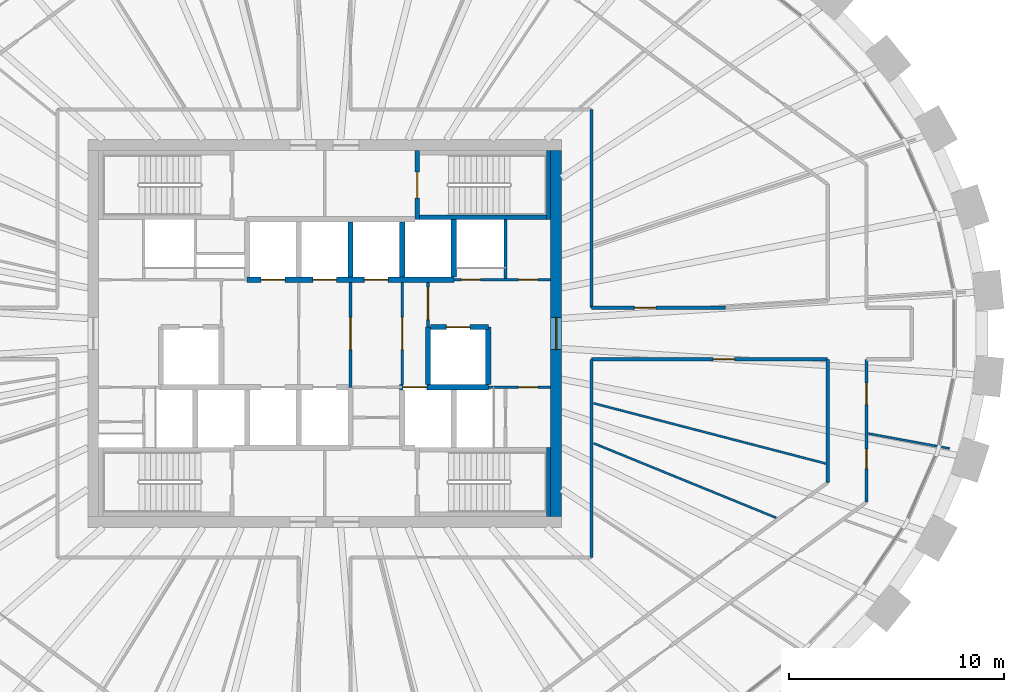
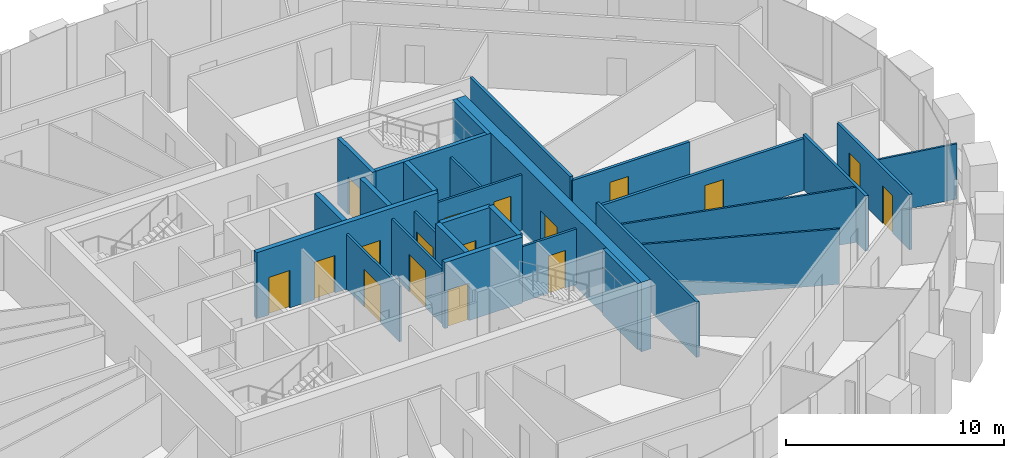
# One storey, part 9 of 12: 28 walls, 17 doors, 17 openings.
"""IFC4 building model written with IfcOpenShell, lengths in metres."""

from ifc_helpers import new_model, si_unit, direction, frame, frame_2d, origin, place, context, subcontext, project, spatial, rectangle, extrude, source, transform, mapped, material, layer, layer_set, type_object, element, fill, save


model = new_model("IFC4")

# Units and contexts
model_context = context("Model", 3, precision=1e-05, world=origin(), true_north=direction((0.0, 1.0)))
body_context = subcontext(model_context, "Body", "Model", "MODEL_VIEW")
ifc_project = project(units=[si_unit("LENGTHUNIT", "METRE"), si_unit("AREAUNIT", "SQUARE_METRE"), si_unit("VOLUMEUNIT", "CUBIC_METRE"), si_unit("PLANEANGLEUNIT", "RADIAN"), si_unit("MASSUNIT", "GRAM", prefix="KILO")], contexts=[model_context])

# Site, building, storey
site_placement = place(None, origin())
site = spatial("IfcSite", under=ifc_project, at=site_placement, CompositionType="ELEMENT")
building_placement = place(site_placement, origin())
building = spatial("IfcBuilding", under=site, at=building_placement, Name="Embergate Tower", CompositionType="ELEMENT")
storey_placement = place(building_placement, frame((0.0, 0.0, 301.300048828125)))
storey = spatial("IfcBuildingStorey", under=building, at=storey_placement, Name="L70", CompositionType="ELEMENT", Elevation=301.300048828125)

# Wall, opening, door
ifc_material_1 = material(Name="Concrete C50", Category="concrete")
ifc_layer_1 = layer(ifc_material_1, 0.5)
ifc_layer_set_1 = layer_set([ifc_layer_1], Name="Concrete C50")
wall_type_1 = type_object("IfcWallType", Name="Core outer wall C50 500", PredefinedType="SHEAR", material=ifc_layer_set_1)
shared_shape_1 = source(origin(), body_context, "Body", "SweptSolid", [
    extrude(rectangle(XDim=17.0, YDim=0.5, at=frame_2d((8.5, 0.0))), origin(), (0.0, 0.0, 1.0), 3.89990234375),
])
wall_1_placement = place(storey_placement, frame((10.75, -8.5, -0.199951171875), z_axis=(0.0, 0.0, 1.0), x_axis=(0.0, 1.0, 0.0)))
wall_1 = element("IfcWall", 1, at=wall_1_placement, inside=storey, type_object=wall_type_1, Name="CW-L70-E", PredefinedType="SHEAR", context=body_context, shape_type="MappedRepresentation", body=[
    mapped(shared_shape_1, transform((0.0, 0.0, 0.0))),
])
shared_shape_2 = source(origin(), body_context, "Body", "SweptSolid", [
    extrude(rectangle(XDim=1.5, YDim=2.10009765625, at=frame_2d((0.75, 1.050048828125))), frame((0.0, 0.260009765625, 0.0), z_axis=(0.0, -1.0, 0.0), x_axis=(1.0, 0.0, 0.0)), (0.0, 0.0, 1.0), 0.52001953125),
])
opening_1_placement = place(wall_1_placement, frame((7.75, 0.0, 0.199951171875)))
opening_1 = element("IfcOpeningElement", 2, at=opening_1_placement, cuts=wall_1, Name="Opening IF-3", PredefinedType="OPENING", context=body_context, shape_type="MappedRepresentation", body=[
    mapped(shared_shape_2, transform((0.0, 0.0, 0.0))),
])
ifc_material_2 = material(Name="Lobby fire door pair 1500")
door_type_1 = type_object("IfcDoorType", Name="Lobby fire door pair 1500", OperationType="DOUBLE_DOOR_SINGLE_SWING", PredefinedType="DOOR", material=ifc_material_2)
shared_shape_3 = source(origin(), body_context, "Body", "SweptSolid", [
    extrude(rectangle(XDim=1.5, YDim=2.10009765625, at=frame_2d((0.75, 1.050048828125))), frame((0.0, 0.02490234375, 0.0), z_axis=(0.0, -1.0, 0.0), x_axis=(1.0, 0.0, 0.0)), (0.0, 0.0, 1.0), 0.050048828125),
])
door_1_placement = place(opening_1_placement, origin())
door_1 = element("IfcDoor", 3, at=door_1_placement, inside=storey, type_object=door_type_1, Name="IF-3 door", OperationType="DOUBLE_DOOR_SINGLE_SWING", OverallHeight=2.10009765625, OverallWidth=1.5, PredefinedType="DOOR", context=body_context, shape_type="MappedRepresentation", body=[
    mapped(shared_shape_3, transform((0.0, 0.0, 0.0))),
])
fill(opening_1, door_1)

# Walls
ifc_layer_2 = layer(ifc_material_1, 0.25)
ifc_layer_set_2 = layer_set([ifc_layer_2], Name="Concrete C50")
wall_type_2 = type_object("IfcWallType", Name="Hoistway wall reinforced concrete 250", PredefinedType="SHEAR", material=ifc_layer_set_2)
shared_shape_4 = source(origin(), body_context, "Body", "SweptSolid", [
    extrude(rectangle(XDim=2.675048828125, YDim=0.25, at=frame_2d((1.33740234375, 0.0))), origin(), (0.0, 0.0, 1.0), 3.699951171875),
])
for number, where, z_axis, x_axis, name in (
    (4, (6.0, 2.625, 0.0), (0.0, 0.0, 1.0), (0.0, 1.0, 0.0), "HW-1 wall"),
    (5, (4.800048828125, -2.375, 0.0), (0.0, 0.0, 1.0), (0.0, 1.0, 0.0), "HW-1 wall"),
):
    element("IfcWall", number, at=place(storey_placement, frame(where, z_axis=z_axis, x_axis=x_axis)), inside=storey, type_object=wall_type_2, Name=name, PredefinedType="SHEAR", context=body_context, shape_type="MappedRepresentation", body=[
        mapped(shared_shape_4, transform((0.0, 0.0, 0.0))),
    ])

# Wall, opening, door
wall_2_placement = place(storey_placement, frame((7.60009765625, 0.300048828125, 0.0), z_axis=(0.0, 0.0, 1.0), x_axis=(-1.0, 0.0, 0.0)))
wall_2 = element("IfcWall", 6, at=wall_2_placement, inside=storey, type_object=wall_type_2, Name="HW-1 wall", PredefinedType="SHEAR", context=body_context, shape_type="MappedRepresentation", body=[
    mapped(shared_shape_4, transform((0.0, 0.0, 0.0))),
])
shared_shape_5 = source(origin(), body_context, "Body", "SweptSolid", [
    extrude(rectangle(XDim=1.10009765625, YDim=2.10009765625, at=frame_2d((0.550048828125, 1.050048828125))), frame((0.0, 0.135009765625, 0.0), z_axis=(0.0, -1.0, 0.0), x_axis=(1.0, 0.0, 0.0)), (0.0, 0.0, 1.0), 0.27001953125),
])
opening_2_placement = place(wall_2_placement, frame((0.85009765625, 0.0, 0.0)))
opening_2 = element("IfcOpeningElement", 7, at=opening_2_placement, cuts=wall_2, Name="Opening LD", PredefinedType="OPENING", context=body_context, shape_type="MappedRepresentation", body=[
    mapped(shared_shape_5, transform((0.0, 0.0, 0.0))),
])
ifc_material_3 = material(Name="Landing door sliding 1100")
door_type_2 = type_object("IfcDoorType", Name="Landing door sliding 1100", OperationType="SLIDING_TO_LEFT", PredefinedType="DOOR", material=ifc_material_3)
shared_shape_6 = source(origin(), body_context, "Body", "SweptSolid", [
    extrude(rectangle(XDim=1.10009765625, YDim=2.10009765625, at=frame_2d((0.550048828125, 1.050048828125))), frame((0.0, 0.02490234375, 0.0), z_axis=(0.0, -1.0, 0.0), x_axis=(1.0, 0.0, 0.0)), (0.0, 0.0, 1.0), 0.050048828125),
])
door_2_placement = place(opening_2_placement, origin())
door_2 = element("IfcDoor", 8, at=door_2_placement, inside=storey, type_object=door_type_2, Name="LD door", OperationType="SLIDING_TO_LEFT", OverallHeight=2.10009765625, OverallWidth=1.10009765625, PredefinedType="DOOR", context=body_context, shape_type="MappedRepresentation", body=[
    mapped(shared_shape_6, transform((0.0, 0.0, 0.0))),
])
fill(opening_2, door_2)

# Walls
wall_3_placement = place(storey_placement, frame((7.60009765625, -2.375, 0.0), z_axis=(0.0, 0.0, 1.0), x_axis=(0.0, 1.0, 0.0)))
element("IfcWall", 9, at=wall_3_placement, inside=storey, type_object=wall_type_2, Name="HW-1 wall", PredefinedType="SHEAR", context=body_context, shape_type="MappedRepresentation", body=[
    mapped(shared_shape_4, transform((0.0, 0.0, 0.0))),
])
ifc_layer_3 = layer(ifc_material_1, 0.199951171875)
ifc_layer_set_3 = layer_set([ifc_layer_3], Name="Concrete C50")
wall_type_3 = type_object("IfcWallType", Name="Stair enclosure wall reinforced concrete 250", PredefinedType="SHEAR", material=ifc_layer_set_3)
shared_shape_7 = source(origin(), body_context, "Body", "SweptSolid", [
    extrude(rectangle(XDim=6.300048828125, YDim=0.199951171875, at=frame_2d((3.14990234375, 0.0))), origin(), (0.0, 0.0, 1.0), 3.699951171875),
])
wall_4_placement = place(storey_placement, frame((10.5, 5.39990234375, 0.0), z_axis=(0.0, 0.0, 1.0), x_axis=(-1.0, 0.0, 0.0)))
element("IfcWall", 10, at=wall_4_placement, inside=storey, type_object=wall_type_3, Name="SE-1 wall", PredefinedType="SHEAR", context=body_context, shape_type="MappedRepresentation", body=[
    mapped(shared_shape_7, transform((0.0, 0.0, 0.0))),
])
shared_shape_8 = source(origin(), body_context, "Body", "SweptSolid", [
    extrude(rectangle(XDim=2.550048828125, YDim=0.25, at=frame_2d((1.27490234375, 0.0))), origin(), (0.0, 0.0, 1.0), 3.699951171875),
])
for number, where, z_axis, x_axis, name in (
    (11, (1.199951171875, 2.625, 0.0), (0.0, 0.0, 1.0), (0.0, 1.0, 0.0), "HW-1 wall"),
    (12, (3.60009765625, 2.625, 0.0), (0.0, 0.0, 1.0), (0.0, 1.0, 0.0), "HW-1 wall"),
):
    element("IfcWall", number, at=place(storey_placement, frame(where, z_axis=z_axis, x_axis=x_axis)), inside=storey, type_object=wall_type_2, Name=name, PredefinedType="SHEAR", context=body_context, shape_type="MappedRepresentation", body=[
        mapped(shared_shape_8, transform((0.0, 0.0, 0.0))),
    ])

# Wall, opening, door
shared_shape_9 = source(origin(), body_context, "Body", "SweptSolid", [
    extrude(rectangle(XDim=3.199951171875, YDim=0.199951171875, at=frame_2d((1.60009765625, 0.0))), origin(), (0.0, 0.0, 1.0), 3.699951171875),
])
wall_5_placement = place(storey_placement, frame((4.300048828125, 8.5, 0.0), z_axis=(0.0, 0.0, 1.0), x_axis=(0.0, -1.0, 0.0)))
wall_5 = element("IfcWall", 13, at=wall_5_placement, inside=storey, type_object=wall_type_3, Name="SE-1 wall", PredefinedType="SHEAR", context=body_context, shape_type="MappedRepresentation", body=[
    mapped(shared_shape_9, transform((0.0, 0.0, 0.0))),
])
shared_shape_10 = source(origin(), body_context, "Body", "SweptSolid", [
    extrude(rectangle(XDim=1.199951171875, YDim=2.10009765625, at=frame_2d((0.60009765625, 1.050048828125))), frame((0.0, 0.10986328125, 0.0), z_axis=(0.0, -1.0, 0.0), x_axis=(1.0, 0.0, 0.0)), (0.0, 0.0, 1.0), 0.219970703125),
])
opening_3_placement = place(wall_5_placement, frame((1.0, 0.0, 0.0)))
opening_3 = element("IfcOpeningElement", 14, at=opening_3_placement, cuts=wall_5, Name="Opening IF-2", PredefinedType="OPENING", context=body_context, shape_type="MappedRepresentation", body=[
    mapped(shared_shape_10, transform((0.0, 0.0, 0.0))),
])
ifc_material_4 = material(Name="Stair enclosure door 1200")
door_type_3 = type_object("IfcDoorType", Name="Stair enclosure door 1200", OperationType="SINGLE_SWING_LEFT", PredefinedType="DOOR", material=ifc_material_4)
shared_shape_11 = source(origin(), body_context, "Body", "SweptSolid", [
    extrude(rectangle(XDim=1.199951171875, YDim=2.10009765625, at=frame_2d((0.60009765625, 1.050048828125))), frame((0.0, 0.02490234375, 0.0), z_axis=(0.0, -1.0, 0.0), x_axis=(1.0, 0.0, 0.0)), (0.0, 0.0, 1.0), 0.050048828125),
])
door_3_placement = place(opening_3_placement, origin())
door_3 = element("IfcDoor", 15, at=door_3_placement, inside=storey, type_object=door_type_3, Name="IF-2 door", OperationType="SINGLE_SWING_RIGHT", OverallHeight=2.10009765625, OverallWidth=1.199951171875, PredefinedType="DOOR", context=body_context, shape_type="MappedRepresentation", body=[
    mapped(shared_shape_11, transform((0.0, 0.0, 0.0))),
])
fill(opening_3, door_3)

# Wall
ifc_material_5 = material(Name="Core partition blockwork 120")
ifc_layer_4 = layer(ifc_material_5, 0.1201171875)
ifc_layer_set_4 = layer_set([ifc_layer_4], Name="Core partition blockwork 120")
wall_type_4 = type_object("IfcWallType", Name="Core partition blockwork 120", PredefinedType="PARTITIONING", material=ifc_layer_set_4)
shared_shape_12 = source(origin(), body_context, "Body", "SweptSolid", [
    extrude(rectangle(XDim=2.739990234375, YDim=0.1201171875, at=frame_2d((1.3701171875, 0.0))), origin(), (0.0, 0.0, 1.0), 3.099853515625),
])
wall_6_placement = place(storey_placement, frame((8.39990234375, 2.56005859375, 0.0), z_axis=(0.0, 0.0, 1.0), x_axis=(0.0, 1.0, 0.0)))
element("IfcWall", 16, at=wall_6_placement, inside=storey, type_object=wall_type_4, Name="IP-3 wall", PredefinedType="PARTITIONING", context=body_context, shape_type="MappedRepresentation", body=[
    mapped(shared_shape_12, transform((0.0, 0.0, 0.0))),
])

# Wall, opening, door
shared_shape_13 = source(origin(), body_context, "Body", "SweptSolid", [
    extrude(rectangle(XDim=4.75, YDim=0.1201171875, at=frame_2d((2.375, 0.0))), origin(), (0.0, 0.0, 1.0), 3.099853515625),
])
wall_7_placement = place(storey_placement, frame((3.60009765625, -2.375, 0.0), z_axis=(0.0, 0.0, 1.0), x_axis=(0.0, 1.0, 0.0)))
wall_7 = element("IfcWall", 17, at=wall_7_placement, inside=storey, type_object=wall_type_4, Name="IP-3 wall", PredefinedType="PARTITIONING", context=body_context, shape_type="MappedRepresentation", body=[
    mapped(shared_shape_13, transform((0.0, 0.0, 0.0))),
])
shared_shape_14 = source(origin(), body_context, "Body", "SweptSolid", [
    extrude(rectangle(XDim=1.5, YDim=2.10009765625, at=frame_2d((0.75, 1.050048828125))), frame((0.0, 0.070068359375, 0.0), z_axis=(0.0, -1.0, 0.0), x_axis=(1.0, 0.0, 0.0)), (0.0, 0.0, 1.0), 0.14013671875),
])
opening_4_placement = place(wall_7_placement, frame((1.625, 0.0, 0.0)))
opening_4 = element("IfcOpeningElement", 18, at=opening_4_placement, cuts=wall_7, Name="Opening IF-3", PredefinedType="OPENING", context=body_context, shape_type="MappedRepresentation", body=[
    mapped(shared_shape_14, transform((0.0, 0.0, 0.0))),
])
door_4_placement = place(opening_4_placement, origin())
door_4 = element("IfcDoor", 19, at=door_4_placement, inside=storey, type_object=door_type_1, Name="IF-3 door", OperationType="DOUBLE_DOOR_SINGLE_SWING", OverallHeight=2.10009765625, OverallWidth=1.5, PredefinedType="DOOR", context=body_context, shape_type="MappedRepresentation", body=[
    mapped(shared_shape_3, transform((0.0, 0.0, 0.0))),
])
fill(opening_4, door_4)

shared_shape_15 = source(origin(), body_context, "Body", "SweptSolid", [
    extrude(rectangle(XDim=2.074951171875, YDim=0.1201171875, at=frame_2d((1.03759765625, 0.0))), origin(), (0.0, 0.0, 1.0), 3.099853515625),
])
wall_8_placement = place(storey_placement, frame((4.800048828125, 0.300048828125, 0.0), z_axis=(0.0, 0.0, 1.0), x_axis=(0.0, 1.0, 0.0)))
wall_8 = element("IfcWall", 20, at=wall_8_placement, inside=storey, type_object=wall_type_4, Name="IP-3 wall", PredefinedType="PARTITIONING", context=body_context, shape_type="MappedRepresentation", body=[
    mapped(shared_shape_15, transform((0.0, 0.0, 0.0))),
])
opening_5_placement = place(wall_8_placement, frame((0.35009765625, 0.0, 0.0)))
opening_5 = element("IfcOpeningElement", 21, at=opening_5_placement, cuts=wall_8, Name="Opening IF-3", PredefinedType="OPENING", context=body_context, shape_type="MappedRepresentation", body=[
    mapped(shared_shape_14, transform((0.0, 0.0, 0.0))),
])
door_5_placement = place(opening_5_placement, origin())
door_5 = element("IfcDoor", 22, at=door_5_placement, inside=storey, type_object=door_type_1, Name="IF-3 door", OperationType="DOUBLE_DOOR_SINGLE_SWING", OverallHeight=2.10009765625, OverallWidth=1.5, PredefinedType="DOOR", context=body_context, shape_type="MappedRepresentation", body=[
    mapped(shared_shape_3, transform((0.0, 0.0, 0.0))),
])
fill(opening_5, door_5)

# Walls
ifc_material_6 = material(Name="Corridor wall dry-lined 150")
ifc_layer_5 = layer(ifc_material_6, 0.14990234375)
ifc_layer_set_5 = layer_set([ifc_layer_5], Name="Corridor wall dry-lined 150")
wall_type_5 = type_object("IfcWallType", Name="Corridor wall dry-lined 150", PredefinedType="PARTITIONING", material=ifc_layer_set_5)
shared_shape_16 = source(origin(), body_context, "Body", "SweptSolid", [
    extrude(rectangle(XDim=9.199951171875, YDim=0.14990234375, at=frame_2d((4.60009765625, 0.0))), origin(), (0.0, 0.0, 1.0), 3.099853515625),
])
for number, where, z_axis, x_axis, name in (
    (23, (12.39990234375, -10.39990234375, 0.0), (0.0, 0.0, 1.0), (0.0, 1.0, 0.0), "IP-2 wall"),
    (24, (12.39990234375, 1.199951171875, 0.0), (0.0, 0.0, 1.0), (0.0, 1.0, 0.0), "IP-2 wall"),
):
    element("IfcWall", number, at=place(storey_placement, frame(where, z_axis=z_axis, x_axis=x_axis)), inside=storey, type_object=wall_type_5, Name=name, PredefinedType="PARTITIONING", context=body_context, shape_type="MappedRepresentation", body=[
        mapped(shared_shape_16, transform((0.0, 0.0, 0.0))),
    ])

# Wall, openings, doors
shared_shape_17 = source(origin(), body_context, "Body", "SweptSolid", [
    extrude(rectangle(XDim=4.5, YDim=0.1201171875, at=frame_2d((2.25, 0.0))), origin(), (0.0, 0.0, 1.0), 3.099853515625),
])
wall_9_placement = place(storey_placement, frame((6.0, 2.5, 0.0), z_axis=(0.0, 0.0, 1.0), x_axis=(1.0, 0.0, 0.0)))
wall_9 = element("IfcWall", 25, at=wall_9_placement, inside=storey, type_object=wall_type_4, Name="IP-3 wall", PredefinedType="PARTITIONING", context=body_context, shape_type="MappedRepresentation", body=[
    mapped(shared_shape_17, transform((0.0, 0.0, 0.0))),
])
shared_shape_18 = source(origin(), body_context, "Body", "SweptSolid", [
    extrude(rectangle(XDim=0.89990234375, YDim=2.10009765625, at=frame_2d((0.449951171875, 1.050048828125))), frame((0.0, 0.070068359375, 0.0), z_axis=(0.0, -1.0, 0.0), x_axis=(1.0, 0.0, 0.0)), (0.0, 0.0, 1.0), 0.14013671875),
])
opening_6_placement = place(wall_9_placement, frame((0.35009765625, 0.0, 0.0)))
opening_6 = element("IfcOpeningElement", 26, at=opening_6_placement, cuts=wall_9, Name="Opening ID-1", PredefinedType="OPENING", context=body_context, shape_type="MappedRepresentation", body=[
    mapped(shared_shape_18, transform((0.0, 0.0, 0.0))),
])
opening_7_placement = place(wall_9_placement, frame((3.0, 0.0, 0.0)))
opening_7 = element("IfcOpeningElement", 27, at=opening_7_placement, cuts=wall_9, Name="Opening ID-1", PredefinedType="OPENING", context=body_context, shape_type="MappedRepresentation", body=[
    mapped(shared_shape_18, transform((0.0, 0.0, 0.0))),
])
ifc_material_7 = material(Name="Interior door 900")
door_type_4 = type_object("IfcDoorType", Name="Interior door 900", OperationType="SINGLE_SWING_LEFT", PredefinedType="DOOR", material=ifc_material_7)
shared_shape_19 = source(origin(), body_context, "Body", "SweptSolid", [
    extrude(rectangle(XDim=0.89990234375, YDim=2.10009765625, at=frame_2d((0.449951171875, 1.050048828125))), frame((0.0, 0.02490234375, 0.0), z_axis=(0.0, -1.0, 0.0), x_axis=(1.0, 0.0, 0.0)), (0.0, 0.0, 1.0), 0.050048828125),
])
door_6_placement = place(opening_6_placement, origin())
door_6 = element("IfcDoor", 28, at=door_6_placement, inside=storey, type_object=door_type_4, Name="ID-1 door", OperationType="SINGLE_SWING_RIGHT", OverallHeight=2.10009765625, OverallWidth=0.89990234375, PredefinedType="DOOR", context=body_context, shape_type="MappedRepresentation", body=[
    mapped(shared_shape_19, transform((0.0, 0.0, 0.0))),
])
fill(opening_6, door_6)
door_7_placement = place(opening_7_placement, origin())
door_7 = element("IfcDoor", 29, at=door_7_placement, inside=storey, type_object=door_type_4, Name="ID-1 door", OperationType="SINGLE_SWING_LEFT", OverallHeight=2.10009765625, OverallWidth=0.89990234375, PredefinedType="DOOR", context=body_context, shape_type="MappedRepresentation", body=[
    mapped(shared_shape_19, transform((0.0, 0.0, 0.0))),
])
fill(opening_7, door_7)

# Wall, opening, door
shared_shape_20 = source(origin(), body_context, "Body", "SweptSolid", [
    extrude(rectangle(XDim=2.89990234375, YDim=0.1201171875, at=frame_2d((1.449951171875, 0.0))), origin(), (0.0, 0.0, 1.0), 3.099853515625),
])
wall_10_placement = place(storey_placement, frame((10.5, -2.5, 0.0), z_axis=(0.0, 0.0, 1.0), x_axis=(-1.0, 0.0, 0.0)))
wall_10 = element("IfcWall", 30, at=wall_10_placement, inside=storey, type_object=wall_type_4, Name="IP-3 wall", PredefinedType="PARTITIONING", context=body_context, shape_type="MappedRepresentation", body=[
    mapped(shared_shape_20, transform((0.0, 0.0, 0.0))),
])
opening_8_placement = place(wall_10_placement, frame((0.60009765625, 0.0, 0.0)))
opening_8 = element("IfcOpeningElement", 31, at=opening_8_placement, cuts=wall_10, Name="Opening ID-1", PredefinedType="OPENING", context=body_context, shape_type="MappedRepresentation", body=[
    mapped(shared_shape_18, transform((0.0, 0.0, 0.0))),
])
door_8_placement = place(opening_8_placement, origin())
door_8 = element("IfcDoor", 32, at=door_8_placement, inside=storey, type_object=door_type_4, Name="ID-1 door", OperationType="SINGLE_SWING_RIGHT", OverallHeight=2.10009765625, OverallWidth=0.89990234375, PredefinedType="DOOR", context=body_context, shape_type="MappedRepresentation", body=[
    mapped(shared_shape_19, transform((0.0, 0.0, 0.0))),
])
fill(opening_8, door_8)

shared_shape_21 = source(origin(), body_context, "Body", "SweptSolid", [
    extrude(rectangle(XDim=4.875, YDim=0.1201171875, at=frame_2d((2.4375, 0.0))), origin(), (0.0, 0.0, 1.0), 3.099853515625),
])
wall_11_placement = place(storey_placement, frame((1.199951171875, -2.5, 0.0), z_axis=(0.0, 0.0, 1.0), x_axis=(0.0, 1.0, 0.0)))
wall_11 = element("IfcWall", 33, at=wall_11_placement, inside=storey, type_object=wall_type_4, Name="IP-3 wall", PredefinedType="PARTITIONING", context=body_context, shape_type="MappedRepresentation", body=[
    mapped(shared_shape_21, transform((0.0, 0.0, 0.0))),
])
opening_9_placement = place(wall_11_placement, frame((1.75, 0.0, 0.0)))
opening_9 = element("IfcOpeningElement", 34, at=opening_9_placement, cuts=wall_11, Name="Opening IF-3", PredefinedType="OPENING", context=body_context, shape_type="MappedRepresentation", body=[
    mapped(shared_shape_14, transform((0.0, 0.0, 0.0))),
])
door_9_placement = place(opening_9_placement, origin())
door_9 = element("IfcDoor", 35, at=door_9_placement, inside=storey, type_object=door_type_1, Name="IF-3 door", OperationType="DOUBLE_DOOR_SINGLE_SWING", OverallHeight=2.10009765625, OverallWidth=1.5, PredefinedType="DOOR", context=body_context, shape_type="MappedRepresentation", body=[
    mapped(shared_shape_3, transform((0.0, 0.0, 0.0))),
])
fill(opening_9, door_9)

# Walls
shared_shape_22 = source(origin(), body_context, "Body", "SweptSolid", [
    extrude(rectangle(XDim=3.197998046875, YDim=0.199951171875, at=frame_2d((1.59912109375, 0.0))), origin(), (0.0, 0.0, 1.0), 3.699951171875),
])
for number, where, z_axis, x_axis, name in (
    (36, (10.39990234375, 5.302001953125, 0.0), (0.0, 0.0, 1.0), (0.0, 1.0, 0.0), "SE-1 wall"),
    (37, (10.39990234375, -8.5, 0.0), (0.0, 0.0, 1.0), (0.0, 1.0, 0.0), "SE-1 wall"),
):
    element("IfcWall", number, at=place(storey_placement, frame(where, z_axis=z_axis, x_axis=x_axis)), inside=storey, type_object=wall_type_3, Name=name, PredefinedType="SHEAR", context=body_context, shape_type="MappedRepresentation", body=[
        mapped(shared_shape_22, transform((0.0, 0.0, 0.0))),
    ])

# Wall, openings, doors
shared_shape_23 = source(origin(), body_context, "Body", "SweptSolid", [
    extrude(rectangle(XDim=9.60009765625, YDim=0.25, at=frame_2d((4.800048828125, 0.0))), origin(), (0.0, 0.0, 1.0), 3.699951171875),
])
wall_12_placement = place(storey_placement, frame((-3.60009765625, 2.5, 0.0), z_axis=(0.0, 0.0, 1.0), x_axis=(1.0, 0.0, 0.0)))
wall_12 = element("IfcWall", 38, at=wall_12_placement, inside=storey, type_object=wall_type_2, Name="HW-1 wall", PredefinedType="SHEAR", context=body_context, shape_type="MappedRepresentation", body=[
    mapped(shared_shape_23, transform((0.0, 0.0, 0.0))),
])
opening_10_placement = place(wall_12_placement, frame((0.64990234375, 0.0, 0.0)))
opening_10 = element("IfcOpeningElement", 39, at=opening_10_placement, cuts=wall_12, Name="Opening LD", PredefinedType="OPENING", context=body_context, shape_type="MappedRepresentation", body=[
    mapped(shared_shape_5, transform((0.0, 0.0, 0.0))),
])
opening_11_placement = place(wall_12_placement, frame((3.050048828125, 0.0, 0.0)))
opening_11 = element("IfcOpeningElement", 40, at=opening_11_placement, cuts=wall_12, Name="Opening LD", PredefinedType="OPENING", context=body_context, shape_type="MappedRepresentation", body=[
    mapped(shared_shape_5, transform((0.0, 0.0, 0.0))),
])
opening_12_placement = place(wall_12_placement, frame((5.449951171875, 0.0, 0.0)))
opening_12 = element("IfcOpeningElement", 41, at=opening_12_placement, cuts=wall_12, Name="Opening LD", PredefinedType="OPENING", context=body_context, shape_type="MappedRepresentation", body=[
    mapped(shared_shape_5, transform((0.0, 0.0, 0.0))),
])
door_10_placement = place(opening_10_placement, origin())
door_10 = element("IfcDoor", 42, at=door_10_placement, inside=storey, type_object=door_type_2, Name="LD door", OperationType="SLIDING_TO_LEFT", OverallHeight=2.10009765625, OverallWidth=1.10009765625, PredefinedType="DOOR", context=body_context, shape_type="MappedRepresentation", body=[
    mapped(shared_shape_6, transform((0.0, 0.0, 0.0))),
])
fill(opening_10, door_10)
door_11_placement = place(opening_11_placement, origin())
door_11 = element("IfcDoor", 43, at=door_11_placement, inside=storey, type_object=door_type_2, Name="LD door", OperationType="SLIDING_TO_LEFT", OverallHeight=2.10009765625, OverallWidth=1.10009765625, PredefinedType="DOOR", context=body_context, shape_type="MappedRepresentation", body=[
    mapped(shared_shape_6, transform((0.0, 0.0, 0.0))),
])
fill(opening_11, door_11)
door_12_placement = place(opening_12_placement, origin())
door_12 = element("IfcDoor", 44, at=door_12_placement, inside=storey, type_object=door_type_2, Name="LD door", OperationType="SLIDING_TO_RIGHT", OverallHeight=2.10009765625, OverallWidth=1.10009765625, PredefinedType="DOOR", context=body_context, shape_type="MappedRepresentation", body=[
    mapped(shared_shape_6, transform((0.0, 0.0, 0.0))),
])
fill(opening_12, door_12)

# Wall, opening, door
shared_shape_24 = source(origin(), body_context, "Body", "SweptSolid", [
    extrude(rectangle(XDim=4.125, YDim=0.25, at=frame_2d((2.0625, 0.0))), origin(), (0.0, 0.0, 1.0), 3.699951171875),
])
wall_13_placement = place(storey_placement, frame((7.60009765625, -2.5, 0.0), z_axis=(0.0, 0.0, 1.0), x_axis=(-1.0, 0.0, 0.0)))
wall_13 = element("IfcWall", 45, at=wall_13_placement, inside=storey, type_object=wall_type_2, Name="HW-1 wall", PredefinedType="SHEAR", context=body_context, shape_type="MappedRepresentation", body=[
    mapped(shared_shape_24, transform((0.0, 0.0, 0.0))),
])
opening_13_placement = place(wall_13_placement, frame((2.85009765625, 0.0, 0.0)))
opening_13 = element("IfcOpeningElement", 46, at=opening_13_placement, cuts=wall_13, Name="Opening LD", PredefinedType="OPENING", context=body_context, shape_type="MappedRepresentation", body=[
    mapped(shared_shape_5, transform((0.0, 0.0, 0.0))),
])
door_13_placement = place(opening_13_placement, origin())
door_13 = element("IfcDoor", 47, at=door_13_placement, inside=storey, type_object=door_type_2, Name="LD door", OperationType="SLIDING_TO_RIGHT", OverallHeight=2.10009765625, OverallWidth=1.10009765625, PredefinedType="DOOR", context=body_context, shape_type="MappedRepresentation", body=[
    mapped(shared_shape_6, transform((0.0, 0.0, 0.0))),
])
fill(opening_13, door_13)

# Wall, openings, doors
shared_shape_25 = source(origin(), body_context, "Body", "SweptSolid", [
    extrude(rectangle(XDim=6.634033203125, YDim=0.14990234375, at=frame_2d((3.31689453125, 0.0))), origin(), (0.0, 0.0, 1.0), 3.099853515625),
])
wall_14_placement = place(storey_placement, frame((25.166015625, -1.199951171875, 0.0), z_axis=(0.0, 0.0, 1.0), x_axis=(0.0, -1.0, 0.0)))
wall_14 = element("IfcWall", 48, at=wall_14_placement, inside=storey, type_object=wall_type_5, Name="IP-2 wall", PredefinedType="PARTITIONING", context=body_context, shape_type="MappedRepresentation", body=[
    mapped(shared_shape_25, transform((0.0, 0.0, 0.0))),
])
shared_shape_26 = source(origin(), body_context, "Body", "SweptSolid", [
    extrude(rectangle(XDim=0.89990234375, YDim=2.10009765625, at=frame_2d((0.449951171875, 1.050048828125))), frame((0.0, 0.0849609375, 0.0), z_axis=(0.0, -1.0, 0.0), x_axis=(1.0, 0.0, 0.0)), (0.0, 0.0, 1.0), 0.169921875),
])
opening_14_placement = place(wall_14_placement, frame((4.173095703125, 0.0, 0.0)))
opening_14 = element("IfcOpeningElement", 49, at=opening_14_placement, cuts=wall_14, Name="Opening IF-1c", PredefinedType="OPENING", context=body_context, shape_type="MappedRepresentation", body=[
    mapped(shared_shape_26, transform((0.0, 0.0, 0.0))),
])
shared_shape_27 = source(origin(), body_context, "Body", "SweptSolid", [
    extrude(rectangle(XDim=1.0, YDim=2.10009765625, at=frame_2d((0.5, 1.050048828125))), frame((0.0, 0.0849609375, 0.0), z_axis=(0.0, -1.0, 0.0), x_axis=(1.0, 0.0, 0.0)), (0.0, 0.0, 1.0), 0.169921875),
])
opening_15_placement = place(wall_14_placement, frame((1.10498046875, 0.0, 0.0)))
opening_15 = element("IfcOpeningElement", 50, at=opening_15_placement, cuts=wall_14, Name="Opening ID-2", PredefinedType="OPENING", context=body_context, shape_type="MappedRepresentation", body=[
    mapped(shared_shape_27, transform((0.0, 0.0, 0.0))),
])
ifc_material_8 = material(Name="Escape fire door 900")
door_type_5 = type_object("IfcDoorType", Name="Escape fire door 900", OperationType="SINGLE_SWING_LEFT", PredefinedType="DOOR", material=ifc_material_8)
door_14_placement = place(opening_14_placement, origin())
door_14 = element("IfcDoor", 51, at=door_14_placement, inside=storey, type_object=door_type_5, Name="IF-1 door", OperationType="SINGLE_SWING_RIGHT", OverallHeight=2.10009765625, OverallWidth=0.89990234375, PredefinedType="DOOR", context=body_context, shape_type="MappedRepresentation", body=[
    mapped(shared_shape_19, transform((0.0, 0.0, 0.0))),
])
fill(opening_14, door_14)
ifc_material_9 = material(Name="Interior door 1000")
door_type_6 = type_object("IfcDoorType", Name="Interior door 1000", OperationType="SINGLE_SWING_LEFT", PredefinedType="DOOR", material=ifc_material_9)
shared_shape_28 = source(origin(), body_context, "Body", "SweptSolid", [
    extrude(rectangle(XDim=1.0, YDim=2.10009765625, at=frame_2d((0.5, 1.050048828125))), frame((0.0, 0.02490234375, 0.0), z_axis=(0.0, -1.0, 0.0), x_axis=(1.0, 0.0, 0.0)), (0.0, 0.0, 1.0), 0.050048828125),
])
door_15_placement = place(opening_15_placement, origin())
door_15 = element("IfcDoor", 52, at=door_15_placement, inside=storey, type_object=door_type_6, Name="ID-2 door", OperationType="SINGLE_SWING_LEFT", OverallHeight=2.10009765625, OverallWidth=1.0, PredefinedType="DOOR", context=body_context, shape_type="MappedRepresentation", body=[
    mapped(shared_shape_28, transform((0.0, 0.0, 0.0))),
])
fill(opening_15, door_15)

# Wall
shared_shape_29 = source(origin(), body_context, "Body", "SweptSolid", [
    extrude(rectangle(XDim=5.72314453125, YDim=0.14990234375, at=frame_2d((2.861572265625, 0.0))), origin(), (0.0, 0.0, 1.0), 3.099853515625),
])
wall_15_placement = place(storey_placement, frame((23.365966796875, -1.199951171875, 0.0), z_axis=(0.0, 0.0, 1.0), x_axis=(0.0, -1.0, 0.0)))
element("IfcWall", 53, at=wall_15_placement, inside=storey, type_object=wall_type_5, Name="IP-2 wall", PredefinedType="PARTITIONING", context=body_context, shape_type="MappedRepresentation", body=[
    mapped(shared_shape_29, transform((0.0, 0.0, 0.0))),
])

# Wall, opening, door
shared_shape_30 = source(origin(), body_context, "Body", "SweptSolid", [
    extrude(rectangle(XDim=10.966064453125, YDim=0.14990234375, at=frame_2d((5.48291015625, 0.0))), origin(), (0.0, 0.0, 1.0), 2.89990234375),
])
wall_16_placement = place(storey_placement, frame((12.39990234375, -1.199951171875, 0.0), z_axis=(0.0, 0.0, 1.0), x_axis=(1.0, 0.0, 0.0)))
wall_16 = element("IfcWall", 54, at=wall_16_placement, inside=storey, type_object=wall_type_5, Name="IP-2 wall", PredefinedType="PARTITIONING", context=body_context, shape_type="MappedRepresentation", body=[
    mapped(shared_shape_30, transform((0.0, 0.0, 0.0))),
])
opening_16_placement = place(wall_16_placement, frame((5.637939453125, 0.0, 0.0)))
opening_16 = element("IfcOpeningElement", 55, at=opening_16_placement, cuts=wall_16, Name="Opening ID-2", PredefinedType="OPENING", context=body_context, shape_type="MappedRepresentation", body=[
    mapped(shared_shape_27, transform((0.0, 0.0, 0.0))),
])
door_16_placement = place(opening_16_placement, origin())
door_16 = element("IfcDoor", 56, at=door_16_placement, inside=storey, type_object=door_type_6, Name="ID-2 door", OperationType="SINGLE_SWING_RIGHT", OverallHeight=2.10009765625, OverallWidth=1.0, PredefinedType="DOOR", context=body_context, shape_type="MappedRepresentation", body=[
    mapped(shared_shape_28, transform((0.0, 0.0, 0.0))),
])
fill(opening_16, door_16)

shared_shape_31 = source(origin(), body_context, "Body", "SweptSolid", [
    extrude(rectangle(XDim=6.22509765625, YDim=0.14990234375, at=frame_2d((3.112548828125, 0.0))), origin(), (0.0, 0.0, 1.0), 2.89990234375),
])
wall_17_placement = place(storey_placement, frame((18.625, 1.199951171875, 0.0), z_axis=(0.0, 0.0, 1.0), x_axis=(-1.0, 0.0, 0.0)))
wall_17 = element("IfcWall", 57, at=wall_17_placement, inside=storey, type_object=wall_type_5, Name="IP-2 wall", PredefinedType="PARTITIONING", context=body_context, shape_type="MappedRepresentation", body=[
    mapped(shared_shape_31, transform((0.0, 0.0, 0.0))),
])
opening_17_placement = place(wall_17_placement, frame((3.239013671875, 0.0, 0.0)))
opening_17 = element("IfcOpeningElement", 58, at=opening_17_placement, cuts=wall_17, Name="Opening ID-2", PredefinedType="OPENING", context=body_context, shape_type="MappedRepresentation", body=[
    mapped(shared_shape_27, transform((0.0, 0.0, 0.0))),
])
door_17_placement = place(opening_17_placement, origin())
door_17 = element("IfcDoor", 59, at=door_17_placement, inside=storey, type_object=door_type_6, Name="ID-2 door", OperationType="SINGLE_SWING_LEFT", OverallHeight=2.10009765625, OverallWidth=1.0, PredefinedType="DOOR", context=body_context, shape_type="MappedRepresentation", body=[
    mapped(shared_shape_28, transform((0.0, 0.0, 0.0))),
])
fill(opening_17, door_17)

# Walls
ifc_material_10 = material(Name="Partition dry-lined 100")
ifc_layer_6 = layer(ifc_material_10, 0.10009765625)
ifc_layer_set_6 = layer_set([ifc_layer_6], Name="Partition dry-lined 100")
wall_type_6 = type_object("IfcWallType", Name="Partition dry-lined 100", PredefinedType="PARTITIONING", material=ifc_layer_set_6)
shared_shape_32 = source(origin(), body_context, "Body", "SweptSolid", [
    extrude(rectangle(XDim=3.846435546875, YDim=0.10009765625, at=frame_2d((1.92333984375, 0.0))), origin(), (0.0, 0.0, 1.0), 3.099853515625),
])
wall_18_placement = place(storey_placement, frame((25.25, -4.64501953125, 0.0), z_axis=(0.0, 0.0, 1.0), x_axis=(0.983490961004, -0.180957259104, 0.0)))
element("IfcWall", 60, at=wall_18_placement, inside=storey, type_object=wall_type_6, Name="IP-1 wall", PredefinedType="PARTITIONING", context=body_context, shape_type="MappedRepresentation", body=[
    mapped(shared_shape_32, transform((0.0, 0.0, 0.0))),
])
shared_shape_33 = source(origin(), body_context, "Body", "SweptSolid", [
    extrude(rectangle(XDim=9.15234375, YDim=0.10009765625, at=frame_2d((4.576171875, 0.0))), origin(), (0.0, 0.0, 1.0), 3.099853515625),
])
wall_19_placement = place(storey_placement, frame((12.493896484375, -5.09912109375, 0.0), z_axis=(0.0, 0.0, 1.0), x_axis=(0.925888207932, -0.377797599797, 0.0)))
element("IfcWall", 61, at=wall_19_placement, inside=storey, type_object=wall_type_6, Name="IP-1 wall", PredefinedType="PARTITIONING", context=body_context, shape_type="MappedRepresentation", body=[
    mapped(shared_shape_33, transform((0.0, 0.0, 0.0))),
])
shared_shape_34 = source(origin(), body_context, "Body", "SweptSolid", [
    extrude(rectangle(XDim=11.1474609375, YDim=0.10009765625, at=frame_2d((5.57373046875, 0.0))), origin(), (0.0, 0.0, 1.0), 3.099853515625),
])
wall_20_placement = place(storey_placement, frame((12.488037109375, -3.239990234375, 0.0), z_axis=(0.0, 0.0, 1.0), x_axis=(0.967939530388, -0.251183330483, 0.0)))
element("IfcWall", 62, at=wall_20_placement, inside=storey, type_object=wall_type_6, Name="IP-1 wall", PredefinedType="PARTITIONING", context=body_context, shape_type="MappedRepresentation", body=[
    mapped(shared_shape_34, transform((0.0, 0.0, 0.0))),
])

save(model, "model.ifc")
